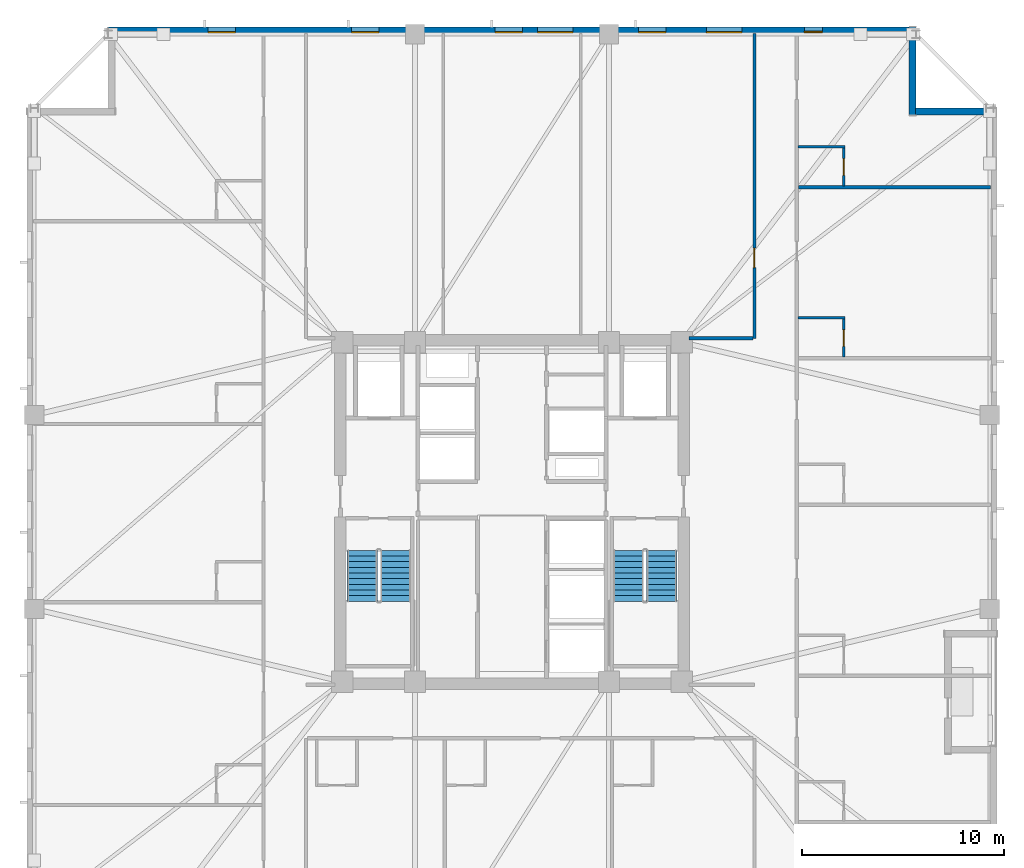
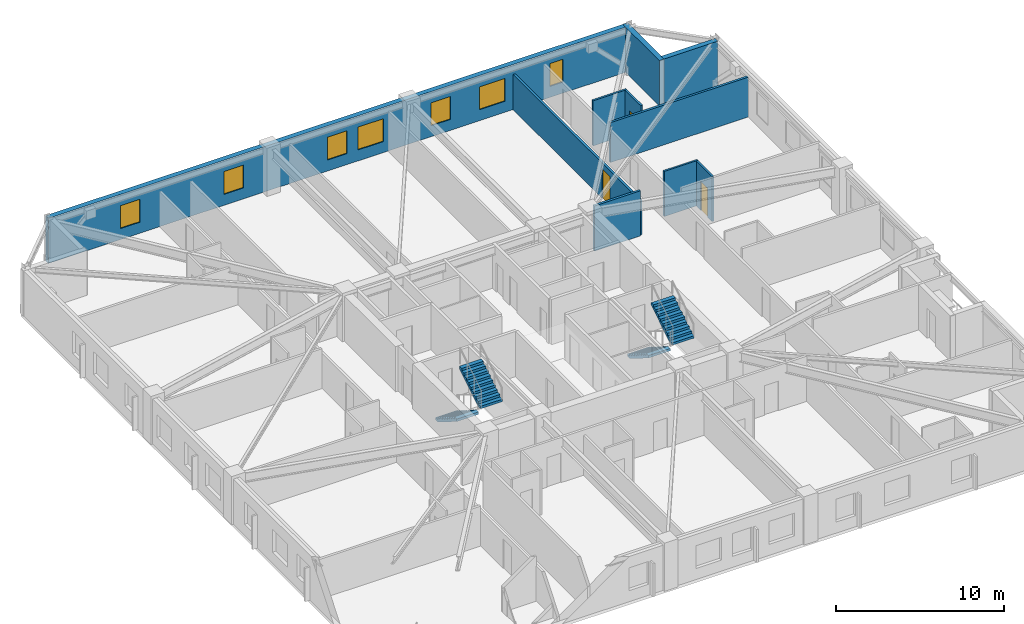
# One storey, part 6 of 11: 10 walls, 7 windows, 4 stair flights, 3 doors, 10 openings, 2 elements without a shape of their own.
"""IFC4 building model written with IfcOpenShell, lengths in metres."""

from ifc_helpers import new_model, si_unit, direction, frame, frame_2d, origin, place, context, subcontext, project, spatial, polyline, rectangle, outline, extrude, material, layer, layer_set, type_object, element, fill, aggregate, save


model = new_model("IFC4")

# Units and contexts
model_context = context("Model", 3, precision=1e-05, world=origin(), true_north=direction((0.0, 1.0)))
body_context = subcontext(model_context, "Body", "Model", "MODEL_VIEW")
ifc_project = project(units=[si_unit("LENGTHUNIT", "METRE"), si_unit("AREAUNIT", "SQUARE_METRE"), si_unit("VOLUMEUNIT", "CUBIC_METRE"), si_unit("PLANEANGLEUNIT", "RADIAN"), si_unit("MASSUNIT", "GRAM", prefix="KILO")], contexts=[model_context])

# Site, building, storey
site_placement = place(None, origin())
site = spatial("IfcSite", under=ifc_project, at=site_placement, CompositionType="ELEMENT")
building_placement = place(site_placement, origin())
building = spatial("IfcBuilding", under=site, at=building_placement, Name="Cairnveth Concourse Tower", CompositionType="ELEMENT")
storey_placement = place(building_placement, frame((0.0, 0.0, 176.0)))
storey = spatial("IfcBuildingStorey", under=building, at=storey_placement, Name="L48", CompositionType="ELEMENT", Elevation=176.0)

# Wall, opening, door
ifc_material_1 = material(Name="Gypsum Plasterboard Partition", Category="gypsum")
ifc_layer_1 = layer(ifc_material_1, 0.159912109375)
ifc_layer_set_1 = layer_set([ifc_layer_1], Name="Gypsum Plasterboard Partition")
wall_type_1 = type_object("IfcWallType", Name="ACOUSTIC PARTY WALL 180", PredefinedType="PARTITIONING", material=ifc_layer_set_1)
wall_1_placement = place(storey_placement, frame((64.0, 47.60009765625, 0.0), z_axis=(0.0, 0.0, 1.0), x_axis=(0.0, 1.0, 0.0)))
wall_1 = element("IfcWall", 1, at=wall_1_placement, inside=storey, type_object=wall_type_1, Name="Interior Wall IW-L48-043", PredefinedType="PARTITIONING", context=body_context, shape_type="SweptSolid", body=[
    extrude(rectangle(XDim=15.074951171875, YDim=0.159912109375, at=frame_2d((7.53759765625, 0.0))), origin(), (0.0, 0.0, 1.0), 2.554931640625),
])
opening_1_placement = place(wall_1_placement, frame((3.5, 0.0, 0.0)))
opening_1 = element("IfcOpeningElement", 2, at=opening_1_placement, cuts=wall_1, Name="Opening ID11", PredefinedType="OPENING", context=body_context, shape_type="SweptSolid", body=[
    extrude(rectangle(XDim=0.9599609375, YDim=2.1201171875, at=frame_2d((0.47998046875, 1.06005859375))), frame((0.0, 0.08984375, 0.0), z_axis=(0.0, -1.0, 0.0), x_axis=(1.0, 0.0, 0.0)), (0.0, 0.0, 1.0), 0.179931640625),
])
ifc_material_2 = material(Name="Solid Core Hardwood Timber Leaf", Category="wood")
door_type_1 = type_object("IfcDoorType", Name="INTERIOR SINGLE DOOR 960X2150", OperationType="NOTDEFINED", PredefinedType="DOOR", material=ifc_material_2)
door_1_placement = place(opening_1_placement, origin())
door_1 = element("IfcDoor", 3, at=door_1_placement, inside=storey, type_object=door_type_1, Name="Interior Door DR-L48-016", OperationType="SINGLE_SWING_RIGHT", OverallHeight=2.1201171875, OverallWidth=0.9599609375, PredefinedType="DOOR", context=body_context, shape_type="SweptSolid", body=[
    extrude(rectangle(XDim=0.9599609375, YDim=2.1201171875, at=frame_2d((0.47998046875, 1.06005859375))), frame((0.0, 0.02490234375, 0.0), z_axis=(0.0, -1.0, 0.0), x_axis=(1.0, 0.0, 0.0)), (0.0, 0.0, 1.0), 0.050048828125),
])
fill(opening_1, door_1)

# Walls
wall_2_placement = place(storey_placement, frame((60.764892578125, 47.60009765625, 0.0), z_axis=(0.0, 0.0, 1.0), x_axis=(1.0, 0.0, 0.0)))
element("IfcWall", 4, at=wall_2_placement, inside=storey, type_object=wall_type_1, Name="Interior Wall IW-L48-045", PredefinedType="PARTITIONING", context=body_context, shape_type="SweptSolid", body=[
    extrude(rectangle(XDim=3.170166015625, YDim=0.159912109375, at=frame_2d((1.5849609375, 0.0))), origin(), (0.0, 0.0, 1.0), 3.280029296875),
])
wall_3_placement = place(storey_placement, frame((66.179931640625, 55.0791015625, 0.0), z_axis=(0.0, 0.0, 1.0), x_axis=(1.0, 0.0, 0.0)))
element("IfcWall", 5, at=wall_3_placement, inside=storey, type_object=wall_type_1, Name="Interior Wall IW-L48-088", PredefinedType="PARTITIONING", context=body_context, shape_type="SweptSolid", body=[
    extrude(rectangle(XDim=9.4951171875, YDim=0.159912109375, at=frame_2d((4.74755859375, 0.0))), origin(), (0.0, 0.0, 1.0), 2.89599609375),
])
ifc_layer_2 = layer(ifc_material_1, 0.1298828125)
ifc_layer_set_2 = layer_set([ifc_layer_2], Name="Gypsum Plasterboard Partition")
wall_type_2 = type_object("IfcWallType", Name="WET AREA PARTITION 140", PredefinedType="PLUMBINGWALL", material=ifc_layer_set_2)
wall_4_placement = place(storey_placement, frame((66.1650390625, 48.611328125, 0.0), z_axis=(0.0, 0.0, 1.0), x_axis=(1.0, 0.0, 0.0)))
element("IfcWall", 6, at=wall_4_placement, inside=storey, type_object=wall_type_2, Name="Interior Wall IW-L48-086", PredefinedType="PLUMBINGWALL", context=body_context, shape_type="SweptSolid", body=[
    extrude(rectangle(XDim=2.31494140625, YDim=0.1298828125, at=frame_2d((1.157470703125, 0.0))), origin(), (0.0, 0.0, 1.0), 3.280029296875),
])

# Wall, opening, door
wall_5_placement = place(storey_placement, frame((68.429931640625, 46.676513671875, 0.0), z_axis=(0.0, 0.0, 1.0), x_axis=(0.0, 1.0, 0.0)))
wall_5 = element("IfcWall", 7, at=wall_5_placement, inside=storey, type_object=wall_type_2, Name="Interior Wall IW-L48-087", PredefinedType="PLUMBINGWALL", context=body_context, shape_type="SweptSolid", body=[
    extrude(rectangle(XDim=1.884765625, YDim=0.1298828125, at=frame_2d((0.9423828125, 0.0))), origin(), (0.0, 0.0, 1.0), 3.280029296875),
])
opening_2_placement = place(wall_5_placement, frame((0.52490234375, 0.0, 0.0)))
opening_2 = element("IfcOpeningElement", 8, at=opening_2_placement, cuts=wall_5, Name="Opening ID22", PredefinedType="OPENING", context=body_context, shape_type="SweptSolid", body=[
    extrude(rectangle(XDim=0.820068359375, YDim=2.10009765625, at=frame_2d((0.41015625, 1.050048828125))), frame((0.0, 0.074951171875, 0.0), z_axis=(0.0, -1.0, 0.0), x_axis=(1.0, 0.0, 0.0)), (0.0, 0.0, 1.0), 0.14990234375),
])
door_type_2 = type_object("IfcDoorType", Name="INTERIOR WC DOOR 820X2100", OperationType="NOTDEFINED", PredefinedType="DOOR", material=ifc_material_2)
door_2_placement = place(opening_2_placement, origin())
door_2 = element("IfcDoor", 9, at=door_2_placement, inside=storey, type_object=door_type_2, Name="En-Suite Door L48-E5", OperationType="SINGLE_SWING_RIGHT", OverallHeight=2.10009765625, OverallWidth=0.820068359375, PredefinedType="DOOR", context=body_context, shape_type="SweptSolid", body=[
    extrude(rectangle(XDim=0.820068359375, YDim=2.10009765625, at=frame_2d((0.41015625, 1.050048828125))), frame((0.0, 0.02490234375, 0.0), z_axis=(0.0, -1.0, 0.0), x_axis=(1.0, 0.0, 0.0)), (0.0, 0.0, 1.0), 0.050048828125),
])
fill(opening_2, door_2)

# Wall
wall_6_placement = place(storey_placement, frame((66.1650390625, 57.0791015625, 0.0), z_axis=(0.0, 0.0, 1.0), x_axis=(1.0, 0.0, 0.0)))
element("IfcWall", 10, at=wall_6_placement, inside=storey, type_object=wall_type_2, Name="Interior Wall IW-L48-089", PredefinedType="PLUMBINGWALL", context=body_context, shape_type="SweptSolid", body=[
    extrude(rectangle(XDim=2.31494140625, YDim=0.1298828125, at=frame_2d((1.157470703125, 0.0))), origin(), (0.0, 0.0, 1.0), 3.280029296875),
])

# Wall, opening, door
wall_7_placement = place(storey_placement, frame((68.429931640625, 55.14404296875, 0.0), z_axis=(0.0, 0.0, 1.0), x_axis=(0.0, 1.0, 0.0)))
wall_7 = element("IfcWall", 11, at=wall_7_placement, inside=storey, type_object=wall_type_2, Name="Interior Wall IW-L48-090", PredefinedType="PLUMBINGWALL", context=body_context, shape_type="SweptSolid", body=[
    extrude(rectangle(XDim=1.885009765625, YDim=0.1298828125, at=frame_2d((0.9423828125, 0.0))), origin(), (0.0, 0.0, 1.0), 3.280029296875),
])
opening_3_placement = place(wall_7_placement, frame((0.52490234375, 0.0, 0.0)))
opening_3 = element("IfcOpeningElement", 12, at=opening_3_placement, cuts=wall_7, Name="Opening ID22", PredefinedType="OPENING", context=body_context, shape_type="SweptSolid", body=[
    extrude(rectangle(XDim=0.820068359375, YDim=2.10009765625, at=frame_2d((0.41015625, 1.050048828125))), frame((0.0, 0.074951171875, 0.0), z_axis=(0.0, -1.0, 0.0), x_axis=(1.0, 0.0, 0.0)), (0.0, 0.0, 1.0), 0.14990234375),
])
door_3_placement = place(opening_3_placement, origin())
door_3 = element("IfcDoor", 13, at=door_3_placement, inside=storey, type_object=door_type_2, Name="En-Suite Door L48-E6", OperationType="SINGLE_SWING_RIGHT", OverallHeight=2.10009765625, OverallWidth=0.820068359375, PredefinedType="DOOR", context=body_context, shape_type="SweptSolid", body=[
    extrude(rectangle(XDim=0.820068359375, YDim=2.10009765625, at=frame_2d((0.41015625, 1.050048828125))), frame((0.0, 0.02490234375, 0.0), z_axis=(0.0, -1.0, 0.0), x_axis=(1.0, 0.0, 0.0)), (0.0, 0.0, 1.0), 0.050048828125),
])
fill(opening_3, door_3)

# Wall, openings, windows
ifc_material_3 = material(Name="Hawthorn Red-Ochre Fired Clay Brick Masonry", Category="masonry")
ifc_layer_3 = layer(ifc_material_3, 0.340087890625)
ifc_layer_set_3 = layer_set([ifc_layer_3], Name="Hawthorn Red-Ochre Fired Clay Brick Masonry")
wall_type_3 = type_object("IfcWallType", Name="ZONE 2 BRICK PIER SPANDREL WALL 340", PredefinedType="SOLIDWALL", material=ifc_layer_set_3)
wall_8_placement = place(storey_placement, frame((32.0, 62.830078125, 0.0), z_axis=(0.0, 0.0, 1.0), x_axis=(1.0, 0.0, 0.0)))
wall_8 = element("IfcWall", 14, at=wall_8_placement, inside=storey, type_object=wall_type_3, Name="Exterior Wall EW-L48-S09", PredefinedType="SOLIDWALL", context=body_context, shape_type="SweptSolid", body=[
    extrude(rectangle(XDim=39.681884765625, YDim=0.340087890625, at=frame_2d((19.8408203125, 0.0))), origin(), (0.0, 0.0, 1.0), 3.280029296875),
])
opening_4_placement = place(wall_8_placement, frame((4.951904296875, 0.0, 0.800048828125)))
opening_4 = element("IfcOpeningElement", 15, at=opening_4_placement, cuts=wall_8, Name="Opening W02", PredefinedType="OPENING", context=body_context, shape_type="SweptSolid", body=[
    extrude(rectangle(XDim=1.35009765625, YDim=1.659912109375, at=frame_2d((0.675048828125, 0.830078125))), frame((0.0, 0.179931640625, 0.0), z_axis=(0.0, -1.0, 0.0), x_axis=(1.0, 0.0, 0.0)), (0.0, 0.0, 1.0), 0.360107421875),
])
opening_5_placement = place(wall_8_placement, frame((12.058837890625, 0.0, 0.800048828125)))
opening_5 = element("IfcOpeningElement", 16, at=opening_5_placement, cuts=wall_8, Name="Opening W02", PredefinedType="OPENING", context=body_context, shape_type="SweptSolid", body=[
    extrude(rectangle(XDim=1.35009765625, YDim=1.659912109375, at=frame_2d((0.675048828125, 0.830078125))), frame((0.0, 0.179931640625, 0.0), z_axis=(0.0, -1.0, 0.0), x_axis=(1.0, 0.0, 0.0)), (0.0, 0.0, 1.0), 0.360107421875),
])
opening_6_placement = place(wall_8_placement, frame((19.166015625, 0.0, 0.800048828125)))
opening_6 = element("IfcOpeningElement", 17, at=opening_6_placement, cuts=wall_8, Name="Opening W02", PredefinedType="OPENING", context=body_context, shape_type="SweptSolid", body=[
    extrude(rectangle(XDim=1.35009765625, YDim=1.659912109375, at=frame_2d((0.675048828125, 0.830078125))), frame((0.0, 0.179931640625, 0.0), z_axis=(0.0, -1.0, 0.0), x_axis=(1.0, 0.0, 0.0)), (0.0, 0.0, 1.0), 0.360107421875),
])
opening_7_placement = place(wall_8_placement, frame((21.26953125, 0.0, 0.800048828125)))
opening_7 = element("IfcOpeningElement", 18, at=opening_7_placement, cuts=wall_8, Name="Opening W06", PredefinedType="OPENING", context=body_context, shape_type="SweptSolid", body=[
    extrude(rectangle(XDim=1.75, YDim=1.659912109375, at=frame_2d((0.875, 0.830078125))), frame((0.0, 0.179931640625, 0.0), z_axis=(0.0, -1.0, 0.0), x_axis=(1.0, 0.0, 0.0)), (0.0, 0.0, 1.0), 0.360107421875),
])
opening_8_placement = place(wall_8_placement, frame((26.273193359375, 0.0, 0.800048828125)))
opening_8 = element("IfcOpeningElement", 19, at=opening_8_placement, cuts=wall_8, Name="Opening W02", PredefinedType="OPENING", context=body_context, shape_type="SweptSolid", body=[
    extrude(rectangle(XDim=1.35009765625, YDim=1.659912109375, at=frame_2d((0.675048828125, 0.830078125))), frame((0.0, 0.179931640625, 0.0), z_axis=(0.0, -1.0, 0.0), x_axis=(1.0, 0.0, 0.0)), (0.0, 0.0, 1.0), 0.360107421875),
])
opening_9_placement = place(wall_8_placement, frame((29.626708984375, 0.0, 0.800048828125)))
opening_9 = element("IfcOpeningElement", 20, at=opening_9_placement, cuts=wall_8, Name="Opening W06", PredefinedType="OPENING", context=body_context, shape_type="SweptSolid", body=[
    extrude(rectangle(XDim=1.75, YDim=1.659912109375, at=frame_2d((0.875, 0.830078125))), frame((0.0, 0.179931640625, 0.0), z_axis=(0.0, -1.0, 0.0), x_axis=(1.0, 0.0, 0.0)), (0.0, 0.0, 1.0), 0.360107421875),
])
opening_10_placement = place(wall_8_placement, frame((34.469970703125, 0.0, 0.800048828125)))
opening_10 = element("IfcOpeningElement", 21, at=opening_10_placement, cuts=wall_8, Name="Opening W13", PredefinedType="OPENING", context=body_context, shape_type="SweptSolid", body=[
    extrude(rectangle(XDim=0.89990234375, YDim=1.659912109375, at=frame_2d((0.449951171875, 0.830078125))), frame((0.0, 0.179931640625, 0.0), z_axis=(0.0, -1.0, 0.0), x_axis=(1.0, 0.0, 0.0)), (0.0, 0.0, 1.0), 0.360107421875),
])
ifc_material_4 = material(Name="Double Glazed Low-E Clear Glass", Category="glass")
window_type_1 = type_object("IfcWindowType", Name="DEEP-SET BEDROOM LANCET WINDOW 900X1750", PartitioningType="DOUBLE_PANEL_VERTICAL", PredefinedType="WINDOW", material=ifc_material_4)
window_1_placement = place(opening_10_placement, origin())
window_1 = element("IfcWindow", 22, at=window_1_placement, inside=storey, type_object=window_type_1, Name="Dwelling Lancet Window L48-DW1", OverallHeight=1.659912109375, OverallWidth=0.89990234375, PartitioningType="SINGLE_PANEL", PredefinedType="WINDOW", context=body_context, shape_type="SweptSolid", body=[
    extrude(rectangle(XDim=0.89990234375, YDim=1.659912109375, at=frame_2d((0.449951171875, 0.830078125))), frame((0.0, -0.0400390625, 0.0), z_axis=(0.0, -1.0, 0.0), x_axis=(1.0, 0.0, 0.0)), (0.0, 0.0, 1.0), 0.06005859375),
])
fill(opening_10, window_1)
window_type_2 = type_object("IfcWindowType", Name="DEEP-SET GOTHIC LANCET WINDOW 1350X1800", PartitioningType="DOUBLE_PANEL_VERTICAL", PredefinedType="WINDOW", material=ifc_material_4)
window_2_placement = place(opening_4_placement, origin())
window_2 = element("IfcWindow", 23, at=window_2_placement, inside=storey, type_object=window_type_2, Name="Gothic Lancet Window L48-9-1", OverallHeight=1.659912109375, OverallWidth=1.35009765625, PartitioningType="SINGLE_PANEL", PredefinedType="WINDOW", context=body_context, shape_type="SweptSolid", body=[
    extrude(rectangle(XDim=1.35009765625, YDim=1.659912109375, at=frame_2d((0.675048828125, 0.830078125))), frame((0.0, -0.050048828125, 0.0), z_axis=(0.0, -1.0, 0.0), x_axis=(1.0, 0.0, 0.0)), (0.0, 0.0, 1.0), 0.06005859375),
])
fill(opening_4, window_2)
window_3_placement = place(opening_5_placement, origin())
window_3 = element("IfcWindow", 24, at=window_3_placement, inside=storey, type_object=window_type_2, Name="Gothic Lancet Window L48-9-3", OverallHeight=1.659912109375, OverallWidth=1.35009765625, PartitioningType="SINGLE_PANEL", PredefinedType="WINDOW", context=body_context, shape_type="SweptSolid", body=[
    extrude(rectangle(XDim=1.35009765625, YDim=1.659912109375, at=frame_2d((0.675048828125, 0.830078125))), frame((0.0, -0.050048828125, 0.0), z_axis=(0.0, -1.0, 0.0), x_axis=(1.0, 0.0, 0.0)), (0.0, 0.0, 1.0), 0.06005859375),
])
fill(opening_5, window_3)
window_4_placement = place(opening_6_placement, origin())
window_4 = element("IfcWindow", 25, at=window_4_placement, inside=storey, type_object=window_type_2, Name="Gothic Lancet Window L48-9-5", OverallHeight=1.659912109375, OverallWidth=1.35009765625, PartitioningType="SINGLE_PANEL", PredefinedType="WINDOW", context=body_context, shape_type="SweptSolid", body=[
    extrude(rectangle(XDim=1.35009765625, YDim=1.659912109375, at=frame_2d((0.675048828125, 0.830078125))), frame((0.0, -0.050048828125, 0.0), z_axis=(0.0, -1.0, 0.0), x_axis=(1.0, 0.0, 0.0)), (0.0, 0.0, 1.0), 0.06005859375),
])
fill(opening_6, window_4)
window_5_placement = place(opening_8_placement, origin())
window_5 = element("IfcWindow", 26, at=window_5_placement, inside=storey, type_object=window_type_2, Name="Gothic Lancet Window L48-9-7", OverallHeight=1.659912109375, OverallWidth=1.35009765625, PartitioningType="SINGLE_PANEL", PredefinedType="WINDOW", context=body_context, shape_type="SweptSolid", body=[
    extrude(rectangle(XDim=1.35009765625, YDim=1.659912109375, at=frame_2d((0.675048828125, 0.830078125))), frame((0.0, -0.050048828125, 0.0), z_axis=(0.0, -1.0, 0.0), x_axis=(1.0, 0.0, 0.0)), (0.0, 0.0, 1.0), 0.06005859375),
])
fill(opening_8, window_5)
window_type_3 = type_object("IfcWindowType", Name="DEEP-SET HOTEL SUITE WINDOW 1750X1800", PartitioningType="DOUBLE_PANEL_VERTICAL", PredefinedType="WINDOW", material=ifc_material_4)
window_6_placement = place(opening_7_placement, origin())
window_6 = element("IfcWindow", 27, at=window_6_placement, inside=storey, type_object=window_type_3, Name="Gothic Lancet Window L48-9-6", OverallHeight=1.659912109375, OverallWidth=1.75, PartitioningType="SINGLE_PANEL", PredefinedType="WINDOW", context=body_context, shape_type="SweptSolid", body=[
    extrude(rectangle(XDim=1.75, YDim=1.659912109375, at=frame_2d((0.875, 0.830078125))), frame((0.0, -0.050048828125, 0.0), z_axis=(0.0, -1.0, 0.0), x_axis=(1.0, 0.0, 0.0)), (0.0, 0.0, 1.0), 0.06005859375),
])
fill(opening_7, window_6)
window_7_placement = place(opening_9_placement, origin())
window_7 = element("IfcWindow", 28, at=window_7_placement, inside=storey, type_object=window_type_3, Name="Gothic Lancet Window L48-9-8", OverallHeight=1.659912109375, OverallWidth=1.75, PartitioningType="SINGLE_PANEL", PredefinedType="WINDOW", context=body_context, shape_type="SweptSolid", body=[
    extrude(rectangle(XDim=1.75, YDim=1.659912109375, at=frame_2d((0.875, 0.830078125))), frame((0.0, -0.050048828125, 0.0), z_axis=(0.0, -1.0, 0.0), x_axis=(1.0, 0.0, 0.0)), (0.0, 0.0, 1.0), 0.06005859375),
])
fill(opening_9, window_7)

# Walls
wall_9_placement = place(storey_placement, frame((71.830078125, 63.0, 0.0), z_axis=(0.0, 0.0, 1.0), x_axis=(0.0, -1.0, 0.0)))
element("IfcWall", 29, at=wall_9_placement, inside=storey, type_object=wall_type_3, Name="Exterior Wall EW-L48-S10", PredefinedType="SOLIDWALL", context=body_context, shape_type="SweptSolid", body=[
    extrude(rectangle(XDim=4.340087890625, YDim=0.340087890625, at=frame_2d((2.169921875, 0.0))), origin(), (0.0, 0.0, 1.0), 3.280029296875),
])
wall_10_placement = place(storey_placement, frame((71.97802734375, 58.830078125, 0.0), z_axis=(0.0, 0.0, 1.0), x_axis=(1.0, 0.0, 0.0)))
element("IfcWall", 30, at=wall_10_placement, inside=storey, type_object=wall_type_3, Name="Exterior Wall EW-L48-S11", PredefinedType="SOLIDWALL", context=body_context, shape_type="SweptSolid", body=[
    extrude(rectangle(XDim=3.703857421875, YDim=0.340087890625, at=frame_2d((1.85205078125, 0.0))), origin(), (0.0, 0.0, 1.0), 3.280029296875),
])

# Stair, stair flights
ifc_material_5 = material(Name="Precast concrete N50 (50 MPa)", Category="concrete")
stair_type = type_object("IfcStairType", Name="CORE DOG-LEG FIRE STAIR 1500", PredefinedType="HALF_TURN_STAIR", material=ifc_material_5)
stair_1_placement = place(storey_placement, origin())
stair_1 = element("IfcStair", 31, at=stair_1_placement, inside=storey, type_object=stair_type, Name="L48 Fire-Isolated Stair ST-1", PredefinedType="HALF_TURN_STAIR")
stair_flight_type = type_object("IfcStairFlightType", Name="PRECAST CONCRETE STAIR FLIGHT 1500", PredefinedType="STRAIGHT", material=ifc_material_5)
stair_flight_1_placement = place(storey_placement, frame((44.590087890625, 37.10009765625, 0.0), z_axis=(0.0, 0.0, 1.0), x_axis=(0.0, -1.0, 0.0)))
stair_flight_1 = element("IfcStairFlight", 32, at=stair_flight_1_placement, type_object=stair_flight_type, Name="ST-1 flight 1", NumberOfRisers=10, NumberOfTreads=9, PredefinedType="STRAIGHT", RiserHeight=0.175, TreadLength=0.28, context=body_context, shape_type="SweptSolid", body=[
    extrude(outline(polyline([(0.0, 0.0), (0.0, 0.175048828125), (0.280029296875, 0.175048828125), (0.280029296875, 0.35009765625), (0.56005859375, 0.35009765625), (0.56005859375, 0.52490234375), (0.840087890625, 0.52490234375), (0.840087890625, 0.699951171875), (1.1201171875, 0.699951171875), (1.1201171875, 0.875), (1.39990234375, 0.875), (1.39990234375, 1.050048828125), (1.679931640625, 1.050048828125), (1.679931640625, 1.22509765625), (1.9599609375, 1.22509765625), (1.9599609375, 1.39990234375), (2.239990234375, 1.39990234375), (2.239990234375, 1.574951171875), (2.52001953125, 1.574951171875), (2.52001953125, 1.75), (2.52001953125, 1.398193359375), (0.28271484375, 0.0), (0.0, 0.0)])), frame((0.0, 0.75, 0.0), z_axis=(0.0, -1.0, 0.0), x_axis=(1.0, 0.0, 0.0)), (0.0, 0.0, 1.0), 1.5),
])
stair_flight_2_placement = place(storey_placement, frame((46.22998046875, 34.580078125, 1.75), z_axis=(0.0, 0.0, 1.0), x_axis=(0.0, 1.0, 0.0)))
stair_flight_2 = element("IfcStairFlight", 33, at=stair_flight_2_placement, type_object=stair_flight_type, Name="ST-1 flight 2", NumberOfRisers=10, NumberOfTreads=9, PredefinedType="STRAIGHT", RiserHeight=0.175, TreadLength=0.28, context=body_context, shape_type="SweptSolid", body=[
    extrude(outline(polyline([(0.0, 0.0), (0.0, 0.175048828125), (0.280029296875, 0.175048828125), (0.280029296875, 0.35009765625), (0.56005859375, 0.35009765625), (0.56005859375, 0.52490234375), (0.840087890625, 0.52490234375), (0.840087890625, 0.699951171875), (1.1201171875, 0.699951171875), (1.1201171875, 0.875), (1.39990234375, 0.875), (1.39990234375, 1.050048828125), (1.679931640625, 1.050048828125), (1.679931640625, 1.22509765625), (1.9599609375, 1.22509765625), (1.9599609375, 1.39990234375), (2.239990234375, 1.39990234375), (2.239990234375, 1.574951171875), (2.52001953125, 1.574951171875), (2.52001953125, 1.75), (2.52001953125, 1.398193359375), (0.28271484375, 0.0), (0.0, 0.0)])), frame((0.0, 0.75, 0.0), z_axis=(0.0, -1.0, 0.0), x_axis=(1.0, 0.0, 0.0)), (0.0, 0.0, 1.0), 1.5),
])
aggregate(stair_1, [stair_flight_1, stair_flight_2])

stair_2_placement = place(storey_placement, origin())
stair_2 = element("IfcStair", 34, at=stair_2_placement, inside=storey, type_object=stair_type, Name="L48 Fire-Isolated Stair ST-2", PredefinedType="HALF_TURN_STAIR")
stair_flight_3_placement = place(storey_placement, frame((57.77001953125, 37.10009765625, 0.0), z_axis=(0.0, 0.0, 1.0), x_axis=(0.0, -1.0, 0.0)))
stair_flight_3 = element("IfcStairFlight", 35, at=stair_flight_3_placement, type_object=stair_flight_type, Name="ST-2 flight 1", NumberOfRisers=10, NumberOfTreads=9, PredefinedType="STRAIGHT", RiserHeight=0.175, TreadLength=0.28, context=body_context, shape_type="SweptSolid", body=[
    extrude(outline(polyline([(0.0, 0.0), (0.0, 0.175048828125), (0.280029296875, 0.175048828125), (0.280029296875, 0.35009765625), (0.56005859375, 0.35009765625), (0.56005859375, 0.52490234375), (0.840087890625, 0.52490234375), (0.840087890625, 0.699951171875), (1.1201171875, 0.699951171875), (1.1201171875, 0.875), (1.39990234375, 0.875), (1.39990234375, 1.050048828125), (1.679931640625, 1.050048828125), (1.679931640625, 1.22509765625), (1.9599609375, 1.22509765625), (1.9599609375, 1.39990234375), (2.239990234375, 1.39990234375), (2.239990234375, 1.574951171875), (2.52001953125, 1.574951171875), (2.52001953125, 1.75), (2.52001953125, 1.398193359375), (0.28271484375, 0.0), (0.0, 0.0)])), frame((0.0, 0.75, 0.0), z_axis=(0.0, -1.0, 0.0), x_axis=(1.0, 0.0, 0.0)), (0.0, 0.0, 1.0), 1.5),
])
stair_flight_4_placement = place(storey_placement, frame((59.409912109375, 34.580078125, 1.75), z_axis=(0.0, 0.0, 1.0), x_axis=(0.0, 1.0, 0.0)))
stair_flight_4 = element("IfcStairFlight", 36, at=stair_flight_4_placement, type_object=stair_flight_type, Name="ST-2 flight 2", NumberOfRisers=10, NumberOfTreads=9, PredefinedType="STRAIGHT", RiserHeight=0.175, TreadLength=0.28, context=body_context, shape_type="SweptSolid", body=[
    extrude(outline(polyline([(0.0, 0.0), (0.0, 0.175048828125), (0.280029296875, 0.175048828125), (0.280029296875, 0.35009765625), (0.56005859375, 0.35009765625), (0.56005859375, 0.52490234375), (0.840087890625, 0.52490234375), (0.840087890625, 0.699951171875), (1.1201171875, 0.699951171875), (1.1201171875, 0.875), (1.39990234375, 0.875), (1.39990234375, 1.050048828125), (1.679931640625, 1.050048828125), (1.679931640625, 1.22509765625), (1.9599609375, 1.22509765625), (1.9599609375, 1.39990234375), (2.239990234375, 1.39990234375), (2.239990234375, 1.574951171875), (2.52001953125, 1.574951171875), (2.52001953125, 1.75), (2.52001953125, 1.398193359375), (0.28271484375, 0.0), (0.0, 0.0)])), frame((0.0, 0.75, 0.0), z_axis=(0.0, -1.0, 0.0), x_axis=(1.0, 0.0, 0.0)), (0.0, 0.0, 1.0), 1.5),
])
aggregate(stair_2, [stair_flight_3, stair_flight_4])

save(model, "model.ifc")
